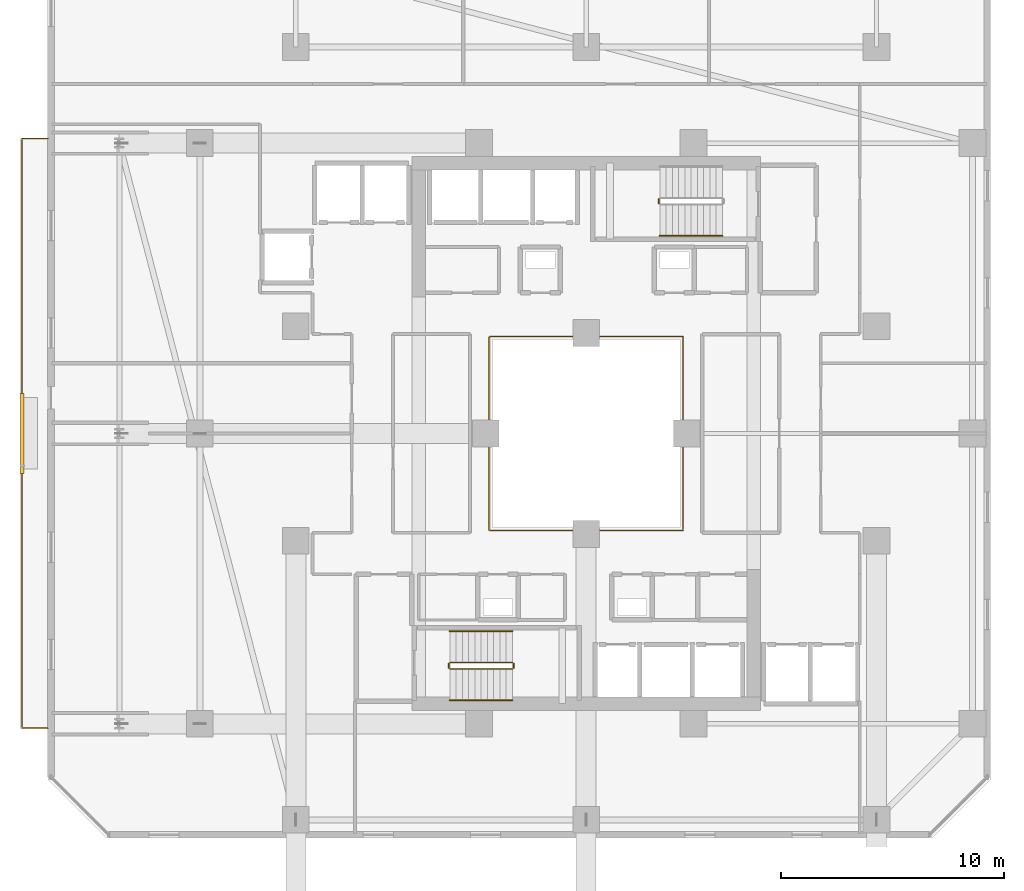
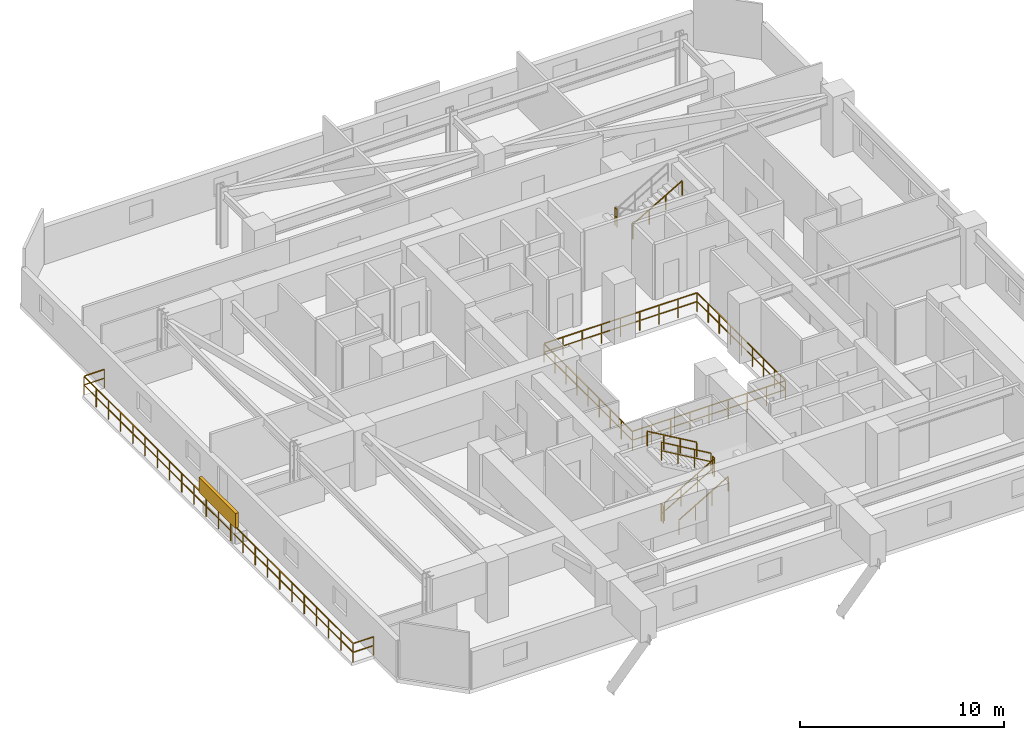
# One storey, part 33 of 36: 10 railings, 1 shading device.
"""IFC4 building model written with IfcOpenShell, lengths in metres."""

from ifc_helpers import new_model, si_unit, direction, frame, origin, origin_2d, place, context, subcontext, project, spatial, rectangle, extrude, material, type_object, element, save


model = new_model("IFC4")

# Units and contexts
model_context = context("Model", 3, precision=1e-05, world=origin(), true_north=direction((0.0, 1.0)))
body_context = subcontext(model_context, "Body", "Model", "MODEL_VIEW")
ifc_project = project(units=[si_unit("LENGTHUNIT", "METRE"), si_unit("AREAUNIT", "SQUARE_METRE"), si_unit("VOLUMEUNIT", "CUBIC_METRE"), si_unit("PLANEANGLEUNIT", "RADIAN"), si_unit("MASSUNIT", "GRAM", prefix="KILO")], contexts=[model_context])

# Site, building, storey
site_placement = place(None, origin())
site = spatial("IfcSite", under=ifc_project, at=site_placement, CompositionType="ELEMENT")
building_placement = place(site_placement, origin())
building = spatial("IfcBuilding", under=site, at=building_placement, Name="Thornwick Lancets Civic Towers", CompositionType="ELEMENT")
storey_placement = place(building_placement, frame((0.0, 0.0, 116.10009765625)))
storey = spatial("IfcBuildingStorey", under=building, at=storey_placement, Name="L30", CompositionType="ELEMENT", Elevation=116.10009765625)

# Railings
ifc_material_1 = material(Name="Laminated glass and bronze steel S355", Category="steel")
railing_type_1 = type_object("IfcRailingType", Name="RAIL_ATRIUM_GUARD", PredefinedType="BALUSTRADE", material=ifc_material_1)
railing_1_placement = place(storey_placement, frame((21.159912109375, 22.659912109375, 0.0)))
element("IfcRailing", 1, at=railing_1_placement, inside=storey, type_object=railing_type_1, Name="L30 Tower A Central Atrium Guard Balustrade", PredefinedType="BALUSTRADE", context=body_context, shape_type="SweptSolid", body=[
    extrude(rectangle(XDim=0.048095703125, YDim=0.048095703125, at=origin_2d()), frame((0.0, 0.0, 1.1259765625), z_axis=(1.0, 0.0, 0.0), x_axis=(0.0, 1.0, 0.0)), (0.0, 0.0, 1.0), 8.64892578125),
    extrude(rectangle(XDim=0.0419921875, YDim=0.0419921875, at=origin_2d()), frame((0.03759765625, 0.0, 0.597900390625), z_axis=(1.0, 0.0, 0.0), x_axis=(0.0, 1.0, 0.0)), (0.0, 0.0, 1.0), 1.010009765625),
    extrude(rectangle(XDim=0.0419921875, YDim=0.0419921875, at=origin_2d()), frame((1.12255859375, 0.0, 0.597900390625), z_axis=(1.0, 0.0, 0.0), x_axis=(0.0, 1.0, 0.0)), (0.0, 0.0, 1.0), 1.010009765625),
    extrude(rectangle(XDim=0.0419921875, YDim=0.0419921875, at=origin_2d()), frame((2.20751953125, 0.0, 0.597900390625), z_axis=(1.0, 0.0, 0.0), x_axis=(0.0, 1.0, 0.0)), (0.0, 0.0, 1.0), 1.010009765625),
    extrude(rectangle(XDim=0.0419921875, YDim=0.0419921875, at=origin_2d()), frame((3.29248046875, 0.0, 0.597900390625), z_axis=(1.0, 0.0, 0.0), x_axis=(0.0, 1.0, 0.0)), (0.0, 0.0, 1.0), 1.010009765625),
    extrude(rectangle(XDim=0.0419921875, YDim=0.0419921875, at=origin_2d()), frame((4.377685546875, 0.0, 0.597900390625), z_axis=(1.0, 0.0, 0.0), x_axis=(0.0, 1.0, 0.0)), (0.0, 0.0, 1.0), 1.010009765625),
    extrude(rectangle(XDim=0.0419921875, YDim=0.0419921875, at=origin_2d()), frame((5.462646484375, 0.0, 0.597900390625), z_axis=(1.0, 0.0, 0.0), x_axis=(0.0, 1.0, 0.0)), (0.0, 0.0, 1.0), 1.010009765625),
    extrude(rectangle(XDim=0.0419921875, YDim=0.0419921875, at=origin_2d()), frame((6.547607421875, 0.0, 0.597900390625), z_axis=(1.0, 0.0, 0.0), x_axis=(0.0, 1.0, 0.0)), (0.0, 0.0, 1.0), 1.010009765625),
    extrude(rectangle(XDim=0.0419921875, YDim=0.0419921875, at=origin_2d()), frame((7.632568359375, 0.0, 0.597900390625), z_axis=(1.0, 0.0, 0.0), x_axis=(0.0, 1.0, 0.0)), (0.0, 0.0, 1.0), 1.010009765625),
    extrude(rectangle(XDim=0.048095703125, YDim=0.048095703125, at=origin_2d()), frame((8.68017578125, 0.03125, 1.1259765625), z_axis=(0.0, 1.0, 0.0), x_axis=(-1.0, 0.0, 0.0)), (0.0, 0.0, 1.0), 8.61767578125),
    extrude(rectangle(XDim=0.0419921875, YDim=0.0419921875, at=origin_2d()), frame((8.68017578125, 0.03759765625, 0.597900390625), z_axis=(0.0, 1.0, 0.0), x_axis=(-1.0, 0.0, 0.0)), (0.0, 0.0, 1.0), 1.010009765625),
    extrude(rectangle(XDim=0.0419921875, YDim=0.0419921875, at=origin_2d()), frame((8.68017578125, 1.12255859375, 0.597900390625), z_axis=(0.0, 1.0, 0.0), x_axis=(-1.0, 0.0, 0.0)), (0.0, 0.0, 1.0), 1.010009765625),
    extrude(rectangle(XDim=0.0419921875, YDim=0.0419921875, at=origin_2d()), frame((8.68017578125, 2.20751953125, 0.597900390625), z_axis=(0.0, 1.0, 0.0), x_axis=(-1.0, 0.0, 0.0)), (0.0, 0.0, 1.0), 1.010009765625),
    extrude(rectangle(XDim=0.0419921875, YDim=0.0419921875, at=origin_2d()), frame((8.68017578125, 3.29248046875, 0.597900390625), z_axis=(0.0, 1.0, 0.0), x_axis=(-1.0, 0.0, 0.0)), (0.0, 0.0, 1.0), 1.010009765625),
    extrude(rectangle(XDim=0.0419921875, YDim=0.0419921875, at=origin_2d()), frame((8.68017578125, 4.377685546875, 0.597900390625), z_axis=(0.0, 1.0, 0.0), x_axis=(-1.0, 0.0, 0.0)), (0.0, 0.0, 1.0), 1.010009765625),
    extrude(rectangle(XDim=0.0419921875, YDim=0.0419921875, at=origin_2d()), frame((8.68017578125, 5.462646484375, 0.597900390625), z_axis=(0.0, 1.0, 0.0), x_axis=(-1.0, 0.0, 0.0)), (0.0, 0.0, 1.0), 1.010009765625),
    extrude(rectangle(XDim=0.0419921875, YDim=0.0419921875, at=origin_2d()), frame((8.68017578125, 6.547607421875, 0.597900390625), z_axis=(0.0, 1.0, 0.0), x_axis=(-1.0, 0.0, 0.0)), (0.0, 0.0, 1.0), 1.010009765625),
    extrude(rectangle(XDim=0.0419921875, YDim=0.0419921875, at=origin_2d()), frame((8.68017578125, 7.632568359375, 0.597900390625), z_axis=(0.0, 1.0, 0.0), x_axis=(-1.0, 0.0, 0.0)), (0.0, 0.0, 1.0), 1.010009765625),
    extrude(rectangle(XDim=0.048095703125, YDim=0.048095703125, at=origin_2d()), frame((8.64892578125, 8.68017578125, 1.1259765625), z_axis=(-1.0, 0.0, 0.0), x_axis=(0.0, -1.0, 0.0)), (0.0, 0.0, 1.0), 8.61767578125),
    extrude(rectangle(XDim=0.0419921875, YDim=0.0419921875, at=origin_2d()), frame((8.642578125, 8.68017578125, 0.597900390625), z_axis=(-1.0, 0.0, 0.0), x_axis=(0.0, -1.0, 0.0)), (0.0, 0.0, 1.0), 1.010009765625),
    extrude(rectangle(XDim=0.0419921875, YDim=0.0419921875, at=origin_2d()), frame((7.5576171875, 8.68017578125, 0.597900390625), z_axis=(-1.0, 0.0, 0.0), x_axis=(0.0, -1.0, 0.0)), (0.0, 0.0, 1.0), 1.010009765625),
    extrude(rectangle(XDim=0.0419921875, YDim=0.0419921875, at=origin_2d()), frame((6.47265625, 8.68017578125, 0.597900390625), z_axis=(-1.0, 0.0, 0.0), x_axis=(0.0, -1.0, 0.0)), (0.0, 0.0, 1.0), 1.010009765625),
    extrude(rectangle(XDim=0.0419921875, YDim=0.0419921875, at=origin_2d()), frame((5.3876953125, 8.68017578125, 0.597900390625), z_axis=(-1.0, 0.0, 0.0), x_axis=(0.0, -1.0, 0.0)), (0.0, 0.0, 1.0), 1.010009765625),
    extrude(rectangle(XDim=0.0419921875, YDim=0.0419921875, at=origin_2d()), frame((4.302490234375, 8.68017578125, 0.597900390625), z_axis=(-1.0, 0.0, 0.0), x_axis=(0.0, -1.0, 0.0)), (0.0, 0.0, 1.0), 1.010009765625),
    extrude(rectangle(XDim=0.0419921875, YDim=0.0419921875, at=origin_2d()), frame((3.217529296875, 8.68017578125, 0.597900390625), z_axis=(-1.0, 0.0, 0.0), x_axis=(0.0, -1.0, 0.0)), (0.0, 0.0, 1.0), 1.010009765625),
    extrude(rectangle(XDim=0.0419921875, YDim=0.0419921875, at=origin_2d()), frame((2.132568359375, 8.68017578125, 0.597900390625), z_axis=(-1.0, 0.0, 0.0), x_axis=(0.0, -1.0, 0.0)), (0.0, 0.0, 1.0), 1.010009765625),
    extrude(rectangle(XDim=0.0419921875, YDim=0.0419921875, at=origin_2d()), frame((1.047607421875, 8.68017578125, 0.597900390625), z_axis=(-1.0, 0.0, 0.0), x_axis=(0.0, -1.0, 0.0)), (0.0, 0.0, 1.0), 1.010009765625),
    extrude(rectangle(XDim=0.048095703125, YDim=0.048095703125, at=origin_2d()), frame((0.0, 8.64892578125, 1.1259765625), z_axis=(0.0, -1.0, 0.0), x_axis=(1.0, 0.0, 0.0)), (0.0, 0.0, 1.0), 8.64892578125),
    extrude(rectangle(XDim=0.0419921875, YDim=0.0419921875, at=origin_2d()), frame((0.0, 8.642578125, 0.597900390625), z_axis=(0.0, -1.0, 0.0), x_axis=(1.0, 0.0, 0.0)), (0.0, 0.0, 1.0), 1.010009765625),
    extrude(rectangle(XDim=0.0419921875, YDim=0.0419921875, at=origin_2d()), frame((0.0, 7.5576171875, 0.597900390625), z_axis=(0.0, -1.0, 0.0), x_axis=(1.0, 0.0, 0.0)), (0.0, 0.0, 1.0), 1.010009765625),
    extrude(rectangle(XDim=0.0419921875, YDim=0.0419921875, at=origin_2d()), frame((0.0, 6.47265625, 0.597900390625), z_axis=(0.0, -1.0, 0.0), x_axis=(1.0, 0.0, 0.0)), (0.0, 0.0, 1.0), 1.010009765625),
    extrude(rectangle(XDim=0.0419921875, YDim=0.0419921875, at=origin_2d()), frame((0.0, 5.3876953125, 0.597900390625), z_axis=(0.0, -1.0, 0.0), x_axis=(1.0, 0.0, 0.0)), (0.0, 0.0, 1.0), 1.010009765625),
    extrude(rectangle(XDim=0.0419921875, YDim=0.0419921875, at=origin_2d()), frame((0.0, 4.302490234375, 0.597900390625), z_axis=(0.0, -1.0, 0.0), x_axis=(1.0, 0.0, 0.0)), (0.0, 0.0, 1.0), 1.010009765625),
    extrude(rectangle(XDim=0.0419921875, YDim=0.0419921875, at=origin_2d()), frame((0.0, 3.217529296875, 0.597900390625), z_axis=(0.0, -1.0, 0.0), x_axis=(1.0, 0.0, 0.0)), (0.0, 0.0, 1.0), 1.010009765625),
    extrude(rectangle(XDim=0.0419921875, YDim=0.0419921875, at=origin_2d()), frame((0.0, 2.132568359375, 0.597900390625), z_axis=(0.0, -1.0, 0.0), x_axis=(1.0, 0.0, 0.0)), (0.0, 0.0, 1.0), 1.010009765625),
    extrude(rectangle(XDim=0.0419921875, YDim=0.0419921875, at=origin_2d()), frame((0.0, 1.047607421875, 0.597900390625), z_axis=(0.0, -1.0, 0.0), x_axis=(1.0, 0.0, 0.0)), (0.0, 0.0, 1.0), 1.010009765625),
    extrude(rectangle(XDim=0.0419921875, YDim=0.0419921875, at=origin_2d()), origin(), (0.0, 0.0, 1.0), 1.095703125),
    extrude(rectangle(XDim=0.0419921875, YDim=0.0419921875, at=origin_2d()), frame((1.0849609375, 0.0, 0.0)), (0.0, 0.0, 1.0), 1.095703125),
    extrude(rectangle(XDim=0.0419921875, YDim=0.0419921875, at=origin_2d()), frame((2.169921875, 0.0, 0.0)), (0.0, 0.0, 1.0), 1.095703125),
    extrude(rectangle(XDim=0.0419921875, YDim=0.0419921875, at=origin_2d()), frame((3.255126953125, 0.0, 0.0)), (0.0, 0.0, 1.0), 1.095703125),
    extrude(rectangle(XDim=0.0419921875, YDim=0.0419921875, at=origin_2d()), frame((4.340087890625, 0.0, 0.0)), (0.0, 0.0, 1.0), 1.095703125),
    extrude(rectangle(XDim=0.0419921875, YDim=0.0419921875, at=origin_2d()), frame((5.425048828125, 0.0, 0.0)), (0.0, 0.0, 1.0), 1.095703125),
    extrude(rectangle(XDim=0.0419921875, YDim=0.0419921875, at=origin_2d()), frame((6.51025390625, 0.0, 0.0)), (0.0, 0.0, 1.0), 1.095703125),
    extrude(rectangle(XDim=0.0419921875, YDim=0.0419921875, at=origin_2d()), frame((7.59521484375, 0.0, 0.0)), (0.0, 0.0, 1.0), 1.095703125),
    extrude(rectangle(XDim=0.0419921875, YDim=0.0419921875, at=origin_2d()), frame((8.68017578125, 0.0, 0.0)), (0.0, 0.0, 1.0), 1.095703125),
    extrude(rectangle(XDim=0.0419921875, YDim=0.0419921875, at=origin_2d()), frame((8.68017578125, 1.0849609375, 0.0)), (0.0, 0.0, 1.0), 1.095703125),
    extrude(rectangle(XDim=0.0419921875, YDim=0.0419921875, at=origin_2d()), frame((8.68017578125, 2.169921875, 0.0)), (0.0, 0.0, 1.0), 1.095703125),
    extrude(rectangle(XDim=0.0419921875, YDim=0.0419921875, at=origin_2d()), frame((8.68017578125, 3.255126953125, 0.0)), (0.0, 0.0, 1.0), 1.095703125),
    extrude(rectangle(XDim=0.0419921875, YDim=0.0419921875, at=origin_2d()), frame((8.68017578125, 4.340087890625, 0.0)), (0.0, 0.0, 1.0), 1.095703125),
    extrude(rectangle(XDim=0.0419921875, YDim=0.0419921875, at=origin_2d()), frame((8.68017578125, 5.425048828125, 0.0)), (0.0, 0.0, 1.0), 1.095703125),
    extrude(rectangle(XDim=0.0419921875, YDim=0.0419921875, at=origin_2d()), frame((8.68017578125, 6.51025390625, 0.0)), (0.0, 0.0, 1.0), 1.095703125),
    extrude(rectangle(XDim=0.0419921875, YDim=0.0419921875, at=origin_2d()), frame((8.68017578125, 7.59521484375, 0.0)), (0.0, 0.0, 1.0), 1.095703125),
    extrude(rectangle(XDim=0.0419921875, YDim=0.0419921875, at=origin_2d()), frame((8.68017578125, 8.68017578125, 0.0)), (0.0, 0.0, 1.0), 1.095703125),
    extrude(rectangle(XDim=0.0419921875, YDim=0.0419921875, at=origin_2d()), frame((7.59521484375, 8.68017578125, 0.0)), (0.0, 0.0, 1.0), 1.095703125),
    extrude(rectangle(XDim=0.0419921875, YDim=0.0419921875, at=origin_2d()), frame((6.51025390625, 8.68017578125, 0.0)), (0.0, 0.0, 1.0), 1.095703125),
    extrude(rectangle(XDim=0.0419921875, YDim=0.0419921875, at=origin_2d()), frame((5.425048828125, 8.68017578125, 0.0)), (0.0, 0.0, 1.0), 1.095703125),
    extrude(rectangle(XDim=0.0419921875, YDim=0.0419921875, at=origin_2d()), frame((4.340087890625, 8.68017578125, 0.0)), (0.0, 0.0, 1.0), 1.095703125),
    extrude(rectangle(XDim=0.0419921875, YDim=0.0419921875, at=origin_2d()), frame((3.255126953125, 8.68017578125, 0.0)), (0.0, 0.0, 1.0), 1.095703125),
    extrude(rectangle(XDim=0.0419921875, YDim=0.0419921875, at=origin_2d()), frame((2.169921875, 8.68017578125, 0.0)), (0.0, 0.0, 1.0), 1.095703125),
    extrude(rectangle(XDim=0.0419921875, YDim=0.0419921875, at=origin_2d()), frame((1.0849609375, 8.68017578125, 0.0)), (0.0, 0.0, 1.0), 1.095703125),
    extrude(rectangle(XDim=0.0419921875, YDim=0.0419921875, at=origin_2d()), frame((0.0, 8.68017578125, 0.0)), (0.0, 0.0, 1.0), 1.095703125),
    extrude(rectangle(XDim=0.0419921875, YDim=0.0419921875, at=origin_2d()), frame((0.0, 7.59521484375, 0.0)), (0.0, 0.0, 1.0), 1.095703125),
    extrude(rectangle(XDim=0.0419921875, YDim=0.0419921875, at=origin_2d()), frame((0.0, 6.51025390625, 0.0)), (0.0, 0.0, 1.0), 1.095703125),
    extrude(rectangle(XDim=0.0419921875, YDim=0.0419921875, at=origin_2d()), frame((0.0, 5.425048828125, 0.0)), (0.0, 0.0, 1.0), 1.095703125),
    extrude(rectangle(XDim=0.0419921875, YDim=0.0419921875, at=origin_2d()), frame((0.0, 4.340087890625, 0.0)), (0.0, 0.0, 1.0), 1.095703125),
    extrude(rectangle(XDim=0.0419921875, YDim=0.0419921875, at=origin_2d()), frame((0.0, 3.255126953125, 0.0)), (0.0, 0.0, 1.0), 1.095703125),
    extrude(rectangle(XDim=0.0419921875, YDim=0.0419921875, at=origin_2d()), frame((0.0, 2.169921875, 0.0)), (0.0, 0.0, 1.0), 1.095703125),
    extrude(rectangle(XDim=0.0419921875, YDim=0.0419921875, at=origin_2d()), frame((0.0, 1.0849609375, 0.0)), (0.0, 0.0, 1.0), 1.095703125),
])
ifc_material_2 = material(Name="Brushed stainless steel S355", Category="steel")
railing_type_2 = type_object("IfcRailingType", Name="RAIL_HANDRAIL", PredefinedType="HANDRAIL", material=ifc_material_2)
railing_2_placement = place(storey_placement, frame((19.39990234375, 15.050048828125, 0.16357421875)))
element("IfcRailing", 2, at=railing_2_placement, inside=storey, type_object=railing_type_2, Name="L30 ST-A1 stair handrail 1", PredefinedType="HANDRAIL", context=body_context, shape_type="SweptSolid", body=[
    extrude(rectangle(XDim=0.048095703125, YDim=0.048095703125, at=origin_2d()), frame((0.0, 0.0, 0.8857421875), z_axis=(0.863393664356, 0.0, 0.504530851732), x_axis=(0.0, 1.0, 0.0)), (0.0, 0.0, 1.0), 3.2431640625),
    extrude(rectangle(XDim=0.0419921875, YDim=0.0419921875, at=origin_2d()), origin(), (0.0, 0.0, 1.0), 0.855712890625),
    extrude(rectangle(XDim=0.0419921875, YDim=0.0419921875, at=origin_2d()), frame((0.933349609375, 0.0, 0.54541015625)), (0.0, 0.0, 1.0), 0.855712890625),
    extrude(rectangle(XDim=0.0419921875, YDim=0.0419921875, at=origin_2d()), frame((1.86669921875, 0.0, 1.0908203125)), (0.0, 0.0, 1.0), 0.855712890625),
    extrude(rectangle(XDim=0.0419921875, YDim=0.0419921875, at=origin_2d()), frame((2.800048828125, 0.0, 1.63623046875)), (0.0, 0.0, 1.0), 0.855712890625),
])
railing_3_placement = place(storey_placement, frame((22.199951171875, 18.14990234375, 1.963623046875)))
element("IfcRailing", 3, at=railing_3_placement, inside=storey, type_object=railing_type_2, Name="L30 ST-A1 stair handrail 2", PredefinedType="HANDRAIL", context=body_context, shape_type="SweptSolid", body=[
    extrude(rectangle(XDim=0.048095703125, YDim=0.048095703125, at=origin_2d()), frame((0.0, 0.0, 0.8857421875), z_axis=(-0.863393664356, 0.0, 0.504530851732), x_axis=(0.0, -1.0, 0.0)), (0.0, 0.0, 1.0), 3.2431640625),
    extrude(rectangle(XDim=0.0419921875, YDim=0.0419921875, at=origin_2d()), origin(), (0.0, 0.0, 1.0), 0.855712890625),
    extrude(rectangle(XDim=0.0419921875, YDim=0.0419921875, at=origin_2d()), frame((-0.933349609375, 0.0, 0.54541015625)), (0.0, 0.0, 1.0), 0.855712890625),
    extrude(rectangle(XDim=0.0419921875, YDim=0.0419921875, at=origin_2d()), frame((-1.86669921875, 0.0, 1.0908203125)), (0.0, 0.0, 1.0), 0.855712890625),
    extrude(rectangle(XDim=0.0419921875, YDim=0.0419921875, at=origin_2d()), frame((-2.800048828125, 0.0, 1.63623046875)), (0.0, 0.0, 1.0), 0.855712890625),
])
railing_4_placement = place(storey_placement, frame((28.800048828125, 35.85009765625, 1.963623046875)))
element("IfcRailing", 4, at=railing_4_placement, inside=storey, type_object=railing_type_2, Name="L30 ST-A2 stair handrail 2", PredefinedType="HANDRAIL", context=body_context, shape_type="SweptSolid", body=[
    extrude(rectangle(XDim=0.048095703125, YDim=0.048095703125, at=origin_2d()), frame((0.0, 0.0, 0.8857421875), z_axis=(0.863393664356, 0.0, 0.504530851732), x_axis=(0.0, 1.0, 0.0)), (0.0, 0.0, 1.0), 3.2431640625),
    extrude(rectangle(XDim=0.0419921875, YDim=0.0419921875, at=origin_2d()), origin(), (0.0, 0.0, 1.0), 0.855712890625),
    extrude(rectangle(XDim=0.0419921875, YDim=0.0419921875, at=origin_2d()), frame((0.933349609375, 0.0, 0.54541015625)), (0.0, 0.0, 1.0), 0.855712890625),
    extrude(rectangle(XDim=0.0419921875, YDim=0.0419921875, at=origin_2d()), frame((1.86669921875, 0.0, 1.0908203125)), (0.0, 0.0, 1.0), 0.855712890625),
    extrude(rectangle(XDim=0.0419921875, YDim=0.0419921875, at=origin_2d()), frame((2.800048828125, 0.0, 1.63623046875)), (0.0, 0.0, 1.0), 0.855712890625),
])
ifc_material_3 = material(Name="Steel S355JR", Category="steel")
railing_type_3 = type_object("IfcRailingType", Name="RAIL_STAIR_GUARD", PredefinedType="GUARDRAIL", material=ifc_material_3)
railing_5_placement = place(storey_placement, frame((19.39990234375, 16.449951171875, 0.16357421875)))
element("IfcRailing", 5, at=railing_5_placement, inside=storey, type_object=railing_type_3, Name="L30 ST-A1 stair guard 1", PredefinedType="GUARDRAIL", context=body_context, shape_type="SweptSolid", body=[
    extrude(rectangle(XDim=0.048095703125, YDim=0.048095703125, at=origin_2d()), frame((0.0, 0.0, 1.076171875), z_axis=(0.863393664356, 0.0, 0.504530851732), x_axis=(0.0, 1.0, 0.0)), (0.0, 0.0, 1.0), 3.2431640625),
    extrude(rectangle(XDim=0.0419921875, YDim=0.0419921875, at=origin_2d()), frame((0.032470703125, 0.0, 0.591064453125), z_axis=(0.863393664356, 0.0, 0.504530851732), x_axis=(0.0, 1.0, 0.0)), (0.0, 0.0, 1.0), 1.006103515625),
    extrude(rectangle(XDim=0.0419921875, YDim=0.0419921875, at=origin_2d()), frame((0.9658203125, 0.0, 1.136474609375), z_axis=(0.863393664356, 0.0, 0.504530851732), x_axis=(0.0, 1.0, 0.0)), (0.0, 0.0, 1.0), 1.006103515625),
    extrude(rectangle(XDim=0.0419921875, YDim=0.0419921875, at=origin_2d()), frame((1.899169921875, 0.0, 1.681884765625), z_axis=(0.863393664356, 0.0, 0.504530851732), x_axis=(0.0, 1.0, 0.0)), (0.0, 0.0, 1.0), 1.006103515625),
    extrude(rectangle(XDim=0.0419921875, YDim=0.0419921875, at=origin_2d()), origin(), (0.0, 0.0, 1.0), 1.0458984375),
    extrude(rectangle(XDim=0.0419921875, YDim=0.0419921875, at=origin_2d()), frame((0.933349609375, 0.0, 0.54541015625)), (0.0, 0.0, 1.0), 1.0458984375),
    extrude(rectangle(XDim=0.0419921875, YDim=0.0419921875, at=origin_2d()), frame((1.86669921875, 0.0, 1.0908203125)), (0.0, 0.0, 1.0), 1.0458984375),
    extrude(rectangle(XDim=0.0419921875, YDim=0.0419921875, at=origin_2d()), frame((2.800048828125, 0.0, 1.63623046875)), (0.0, 0.0, 1.0), 1.0458984375),
])
railing_6_placement = place(storey_placement, frame((22.25, 16.5, 1.7998046875)))
element("IfcRailing", 6, at=railing_6_placement, inside=storey, type_object=railing_type_3, Name="L30 ST-A1 stair guard 2", PredefinedType="GUARDRAIL", context=body_context, shape_type="SweptSolid", body=[
    extrude(rectangle(XDim=0.048095703125, YDim=0.048095703125, at=origin_2d()), frame((0.0, 0.0, 1.076171875), z_axis=(0.0, 1.0, 0.0), x_axis=(-1.0, 0.0, 0.0)), (0.0, 0.0, 1.0), 0.199951171875),
    extrude(rectangle(XDim=0.0419921875, YDim=0.0419921875, at=origin_2d()), frame((0.0, 0.03759765625, 0.572021484375), z_axis=(0.0, 1.0, 0.0), x_axis=(-1.0, 0.0, 0.0)), (0.0, 0.0, 1.0), 0.125),
    extrude(rectangle(XDim=0.0419921875, YDim=0.0419921875, at=origin_2d()), origin(), (0.0, 0.0, 1.0), 1.0458984375),
    extrude(rectangle(XDim=0.0419921875, YDim=0.0419921875, at=origin_2d()), frame((0.0, 0.199951171875, 0.0)), (0.0, 0.0, 1.0), 1.0458984375),
])
railing_7_placement = place(storey_placement, frame((22.199951171875, 16.75, 1.963623046875)))
element("IfcRailing", 7, at=railing_7_placement, inside=storey, type_object=railing_type_3, Name="L30 ST-A1 stair guard 3", PredefinedType="GUARDRAIL", context=body_context, shape_type="SweptSolid", body=[
    extrude(rectangle(XDim=0.048095703125, YDim=0.048095703125, at=origin_2d()), frame((0.0, 0.0, 1.076171875), z_axis=(-0.863393664356, 0.0, 0.504530851732), x_axis=(0.0, -1.0, 0.0)), (0.0, 0.0, 1.0), 3.2431640625),
    extrude(rectangle(XDim=0.0419921875, YDim=0.0419921875, at=origin_2d()), frame((-0.032470703125, 0.0, 0.591064453125), z_axis=(-0.863393664356, 0.0, 0.504530851732), x_axis=(0.0, -1.0, 0.0)), (0.0, 0.0, 1.0), 1.006103515625),
    extrude(rectangle(XDim=0.0419921875, YDim=0.0419921875, at=origin_2d()), frame((-0.9658203125, 0.0, 1.136474609375), z_axis=(-0.863393664356, 0.0, 0.504530851732), x_axis=(0.0, -1.0, 0.0)), (0.0, 0.0, 1.0), 1.006103515625),
    extrude(rectangle(XDim=0.0419921875, YDim=0.0419921875, at=origin_2d()), frame((-1.899169921875, 0.0, 1.681884765625), z_axis=(-0.863393664356, 0.0, 0.504530851732), x_axis=(0.0, -1.0, 0.0)), (0.0, 0.0, 1.0), 1.006103515625),
    extrude(rectangle(XDim=0.0419921875, YDim=0.0419921875, at=origin_2d()), origin(), (0.0, 0.0, 1.0), 1.0458984375),
    extrude(rectangle(XDim=0.0419921875, YDim=0.0419921875, at=origin_2d()), frame((-0.933349609375, 0.0, 0.54541015625)), (0.0, 0.0, 1.0), 1.0458984375),
    extrude(rectangle(XDim=0.0419921875, YDim=0.0419921875, at=origin_2d()), frame((-1.86669921875, 0.0, 1.0908203125)), (0.0, 0.0, 1.0), 1.0458984375),
    extrude(rectangle(XDim=0.0419921875, YDim=0.0419921875, at=origin_2d()), frame((-2.800048828125, 0.0, 1.63623046875)), (0.0, 0.0, 1.0), 1.0458984375),
])
railing_8_placement = place(storey_placement, frame((19.35009765625, 16.5, 0.0)))
element("IfcRailing", 8, at=railing_8_placement, inside=storey, type_object=railing_type_3, Name="L30 ST-A1 stair guard 4", PredefinedType="GUARDRAIL", context=body_context, shape_type="SweptSolid", body=[
    extrude(rectangle(XDim=0.048095703125, YDim=0.048095703125, at=origin_2d()), frame((0.0, 0.0, 1.076171875), z_axis=(0.0, 1.0, 0.0), x_axis=(-1.0, 0.0, 0.0)), (0.0, 0.0, 1.0), 0.199951171875),
    extrude(rectangle(XDim=0.0419921875, YDim=0.0419921875, at=origin_2d()), frame((0.0, 0.03759765625, 0.572021484375), z_axis=(0.0, 1.0, 0.0), x_axis=(-1.0, 0.0, 0.0)), (0.0, 0.0, 1.0), 0.125),
    extrude(rectangle(XDim=0.0419921875, YDim=0.0419921875, at=origin_2d()), origin(), (0.0, 0.0, 1.0), 1.0458984375),
    extrude(rectangle(XDim=0.0419921875, YDim=0.0419921875, at=origin_2d()), frame((0.0, 0.199951171875, 0.0)), (0.0, 0.0, 1.0), 1.0458984375),
])
railing_9_placement = place(storey_placement, frame((28.75, 37.5, 1.7998046875)))
element("IfcRailing", 9, at=railing_9_placement, inside=storey, type_object=railing_type_3, Name="L30 ST-A2 stair guard 2", PredefinedType="GUARDRAIL", context=body_context, shape_type="SweptSolid", body=[
    extrude(rectangle(XDim=0.048095703125, YDim=0.048095703125, at=origin_2d()), frame((0.0, 0.0, 1.076171875), z_axis=(0.0, -1.0, 0.0), x_axis=(1.0, 0.0, 0.0)), (0.0, 0.0, 1.0), 0.199951171875),
    extrude(rectangle(XDim=0.0419921875, YDim=0.0419921875, at=origin_2d()), frame((0.0, -0.03759765625, 0.572021484375), z_axis=(0.0, -1.0, 0.0), x_axis=(1.0, 0.0, 0.0)), (0.0, 0.0, 1.0), 0.125),
    extrude(rectangle(XDim=0.0419921875, YDim=0.0419921875, at=origin_2d()), origin(), (0.0, 0.0, 1.0), 1.0458984375),
    extrude(rectangle(XDim=0.0419921875, YDim=0.0419921875, at=origin_2d()), frame((0.0, -0.199951171875, 0.0)), (0.0, 0.0, 1.0), 1.0458984375),
])
ifc_material_4 = material(Name="Terracotta-capped laminated glass balustrade S355", Category="masonry")
railing_type_4 = type_object("IfcRailingType", Name="RAIL_TERR_GUARD", PredefinedType="GUARDRAIL", material=ifc_material_4)
railing_10_placement = place(storey_placement, frame((1.39990234375, 13.800048828125, 0.0)))
element("IfcRailing", 10, at=railing_10_placement, inside=storey, type_object=railing_type_4, Name="L30 Tower A Balcony Guard W", PredefinedType="GUARDRAIL", context=body_context, shape_type="SweptSolid", body=[
    extrude(rectangle(XDim=0.048095703125, YDim=0.048095703125, at=origin_2d()), frame((0.0, 0.0, 1.1259765625), z_axis=(-1.0, 0.0, 0.0), x_axis=(0.0, -1.0, 0.0)), (0.0, 0.0, 1.0), 1.138671875),
    extrude(rectangle(XDim=0.0419921875, YDim=0.0419921875, at=origin_2d()), frame((-0.03759765625, 0.0, 0.597900390625), z_axis=(-1.0, 0.0, 0.0), x_axis=(0.0, -1.0, 0.0)), (0.0, 0.0, 1.0), 1.094970703125),
    extrude(rectangle(XDim=0.048095703125, YDim=0.048095703125, at=origin_2d()), frame((-1.169921875, 0.03125, 1.1259765625), z_axis=(0.0, 1.0, 0.0), x_axis=(-1.0, 0.0, 0.0)), (0.0, 0.0, 1.0), 26.33740234375),
    extrude(rectangle(XDim=0.0419921875, YDim=0.0419921875, at=origin_2d()), frame((-1.169921875, 0.03759765625, 0.597900390625), z_axis=(0.0, 1.0, 0.0), x_axis=(-1.0, 0.0, 0.0)), (0.0, 0.0, 1.0), 1.125),
    extrude(rectangle(XDim=0.0419921875, YDim=0.0419921875, at=origin_2d()), frame((-1.169921875, 1.237548828125, 0.597900390625), z_axis=(0.0, 1.0, 0.0), x_axis=(-1.0, 0.0, 0.0)), (0.0, 0.0, 1.0), 1.125),
    extrude(rectangle(XDim=0.0419921875, YDim=0.0419921875, at=origin_2d()), frame((-1.169921875, 2.4375, 0.597900390625), z_axis=(0.0, 1.0, 0.0), x_axis=(-1.0, 0.0, 0.0)), (0.0, 0.0, 1.0), 1.125),
    extrude(rectangle(XDim=0.0419921875, YDim=0.0419921875, at=origin_2d()), frame((-1.169921875, 3.637451171875, 0.597900390625), z_axis=(0.0, 1.0, 0.0), x_axis=(-1.0, 0.0, 0.0)), (0.0, 0.0, 1.0), 1.125),
    extrude(rectangle(XDim=0.0419921875, YDim=0.0419921875, at=origin_2d()), frame((-1.169921875, 4.83740234375, 0.597900390625), z_axis=(0.0, 1.0, 0.0), x_axis=(-1.0, 0.0, 0.0)), (0.0, 0.0, 1.0), 1.125),
    extrude(rectangle(XDim=0.0419921875, YDim=0.0419921875, at=origin_2d()), frame((-1.169921875, 6.037353515625, 0.597900390625), z_axis=(0.0, 1.0, 0.0), x_axis=(-1.0, 0.0, 0.0)), (0.0, 0.0, 1.0), 1.125),
    extrude(rectangle(XDim=0.0419921875, YDim=0.0419921875, at=origin_2d()), frame((-1.169921875, 7.237548828125, 0.597900390625), z_axis=(0.0, 1.0, 0.0), x_axis=(-1.0, 0.0, 0.0)), (0.0, 0.0, 1.0), 1.125),
    extrude(rectangle(XDim=0.0419921875, YDim=0.0419921875, at=origin_2d()), frame((-1.169921875, 8.4375, 0.597900390625), z_axis=(0.0, 1.0, 0.0), x_axis=(-1.0, 0.0, 0.0)), (0.0, 0.0, 1.0), 1.125),
    extrude(rectangle(XDim=0.0419921875, YDim=0.0419921875, at=origin_2d()), frame((-1.169921875, 9.637451171875, 0.597900390625), z_axis=(0.0, 1.0, 0.0), x_axis=(-1.0, 0.0, 0.0)), (0.0, 0.0, 1.0), 1.125),
    extrude(rectangle(XDim=0.0419921875, YDim=0.0419921875, at=origin_2d()), frame((-1.169921875, 10.83740234375, 0.597900390625), z_axis=(0.0, 1.0, 0.0), x_axis=(-1.0, 0.0, 0.0)), (0.0, 0.0, 1.0), 1.125),
    extrude(rectangle(XDim=0.0419921875, YDim=0.0419921875, at=origin_2d()), frame((-1.169921875, 12.037353515625, 0.597900390625), z_axis=(0.0, 1.0, 0.0), x_axis=(-1.0, 0.0, 0.0)), (0.0, 0.0, 1.0), 1.125),
    extrude(rectangle(XDim=0.0419921875, YDim=0.0419921875, at=origin_2d()), frame((-1.169921875, 13.237548828125, 0.597900390625), z_axis=(0.0, 1.0, 0.0), x_axis=(-1.0, 0.0, 0.0)), (0.0, 0.0, 1.0), 1.125),
    extrude(rectangle(XDim=0.0419921875, YDim=0.0419921875, at=origin_2d()), frame((-1.169921875, 14.4375, 0.597900390625), z_axis=(0.0, 1.0, 0.0), x_axis=(-1.0, 0.0, 0.0)), (0.0, 0.0, 1.0), 1.125),
    extrude(rectangle(XDim=0.0419921875, YDim=0.0419921875, at=origin_2d()), frame((-1.169921875, 15.637451171875, 0.597900390625), z_axis=(0.0, 1.0, 0.0), x_axis=(-1.0, 0.0, 0.0)), (0.0, 0.0, 1.0), 1.125),
    extrude(rectangle(XDim=0.0419921875, YDim=0.0419921875, at=origin_2d()), frame((-1.169921875, 16.83740234375, 0.597900390625), z_axis=(0.0, 1.0, 0.0), x_axis=(-1.0, 0.0, 0.0)), (0.0, 0.0, 1.0), 1.125),
    extrude(rectangle(XDim=0.0419921875, YDim=0.0419921875, at=origin_2d()), frame((-1.169921875, 18.037353515625, 0.597900390625), z_axis=(0.0, 1.0, 0.0), x_axis=(-1.0, 0.0, 0.0)), (0.0, 0.0, 1.0), 1.125),
    extrude(rectangle(XDim=0.0419921875, YDim=0.0419921875, at=origin_2d()), frame((-1.169921875, 19.2373046875, 0.597900390625), z_axis=(0.0, 1.0, 0.0), x_axis=(-1.0, 0.0, 0.0)), (0.0, 0.0, 1.0), 1.125),
    extrude(rectangle(XDim=0.0419921875, YDim=0.0419921875, at=origin_2d()), frame((-1.169921875, 20.4375, 0.597900390625), z_axis=(0.0, 1.0, 0.0), x_axis=(-1.0, 0.0, 0.0)), (0.0, 0.0, 1.0), 1.125),
    extrude(rectangle(XDim=0.0419921875, YDim=0.0419921875, at=origin_2d()), frame((-1.169921875, 21.637451171875, 0.597900390625), z_axis=(0.0, 1.0, 0.0), x_axis=(-1.0, 0.0, 0.0)), (0.0, 0.0, 1.0), 1.125),
    extrude(rectangle(XDim=0.0419921875, YDim=0.0419921875, at=origin_2d()), frame((-1.169921875, 22.83740234375, 0.597900390625), z_axis=(0.0, 1.0, 0.0), x_axis=(-1.0, 0.0, 0.0)), (0.0, 0.0, 1.0), 1.125),
    extrude(rectangle(XDim=0.0419921875, YDim=0.0419921875, at=origin_2d()), frame((-1.169921875, 24.037353515625, 0.597900390625), z_axis=(0.0, 1.0, 0.0), x_axis=(-1.0, 0.0, 0.0)), (0.0, 0.0, 1.0), 1.125),
    extrude(rectangle(XDim=0.0419921875, YDim=0.0419921875, at=origin_2d()), frame((-1.169921875, 25.2373046875, 0.597900390625), z_axis=(0.0, 1.0, 0.0), x_axis=(-1.0, 0.0, 0.0)), (0.0, 0.0, 1.0), 1.125),
    extrude(rectangle(XDim=0.048095703125, YDim=0.048095703125, at=origin_2d()), frame((-1.138671875, 26.39990234375, 1.1259765625), z_axis=(1.0, 0.0, 0.0), x_axis=(0.0, 1.0, 0.0)), (0.0, 0.0, 1.0), 1.138671875),
    extrude(rectangle(XDim=0.0419921875, YDim=0.0419921875, at=origin_2d()), frame((-1.13232421875, 26.39990234375, 0.597900390625), z_axis=(1.0, 0.0, 0.0), x_axis=(0.0, 1.0, 0.0)), (0.0, 0.0, 1.0), 1.094970703125),
    extrude(rectangle(XDim=0.0419921875, YDim=0.0419921875, at=origin_2d()), origin(), (0.0, 0.0, 1.0), 1.095703125),
    extrude(rectangle(XDim=0.0419921875, YDim=0.0419921875, at=origin_2d()), frame((-1.169921875, 0.0, 0.0)), (0.0, 0.0, 1.0), 1.095703125),
    extrude(rectangle(XDim=0.0419921875, YDim=0.0419921875, at=origin_2d()), frame((-1.169921875, 1.199951171875, 0.0)), (0.0, 0.0, 1.0), 1.095703125),
    extrude(rectangle(XDim=0.0419921875, YDim=0.0419921875, at=origin_2d()), frame((-1.169921875, 2.39990234375, 0.0)), (0.0, 0.0, 1.0), 1.095703125),
    extrude(rectangle(XDim=0.0419921875, YDim=0.0419921875, at=origin_2d()), frame((-1.169921875, 3.60009765625, 0.0)), (0.0, 0.0, 1.0), 1.095703125),
    extrude(rectangle(XDim=0.0419921875, YDim=0.0419921875, at=origin_2d()), frame((-1.169921875, 4.800048828125, 0.0)), (0.0, 0.0, 1.0), 1.095703125),
    extrude(rectangle(XDim=0.0419921875, YDim=0.0419921875, at=origin_2d()), frame((-1.169921875, 6.0, 0.0)), (0.0, 0.0, 1.0), 1.095703125),
    extrude(rectangle(XDim=0.0419921875, YDim=0.0419921875, at=origin_2d()), frame((-1.169921875, 7.199951171875, 0.0)), (0.0, 0.0, 1.0), 1.095703125),
    extrude(rectangle(XDim=0.0419921875, YDim=0.0419921875, at=origin_2d()), frame((-1.169921875, 8.39990234375, 0.0)), (0.0, 0.0, 1.0), 1.095703125),
    extrude(rectangle(XDim=0.0419921875, YDim=0.0419921875, at=origin_2d()), frame((-1.169921875, 9.599853515625, 0.0)), (0.0, 0.0, 1.0), 1.095703125),
    extrude(rectangle(XDim=0.0419921875, YDim=0.0419921875, at=origin_2d()), frame((-1.169921875, 10.800048828125, 0.0)), (0.0, 0.0, 1.0), 1.095703125),
    extrude(rectangle(XDim=0.0419921875, YDim=0.0419921875, at=origin_2d()), frame((-1.169921875, 12.0, 0.0)), (0.0, 0.0, 1.0), 1.095703125),
    extrude(rectangle(XDim=0.0419921875, YDim=0.0419921875, at=origin_2d()), frame((-1.169921875, 13.199951171875, 0.0)), (0.0, 0.0, 1.0), 1.095703125),
    extrude(rectangle(XDim=0.0419921875, YDim=0.0419921875, at=origin_2d()), frame((-1.169921875, 14.39990234375, 0.0)), (0.0, 0.0, 1.0), 1.095703125),
    extrude(rectangle(XDim=0.0419921875, YDim=0.0419921875, at=origin_2d()), frame((-1.169921875, 15.599853515625, 0.0)), (0.0, 0.0, 1.0), 1.095703125),
    extrude(rectangle(XDim=0.0419921875, YDim=0.0419921875, at=origin_2d()), frame((-1.169921875, 16.800048828125, 0.0)), (0.0, 0.0, 1.0), 1.095703125),
    extrude(rectangle(XDim=0.0419921875, YDim=0.0419921875, at=origin_2d()), frame((-1.169921875, 18.0, 0.0)), (0.0, 0.0, 1.0), 1.095703125),
    extrude(rectangle(XDim=0.0419921875, YDim=0.0419921875, at=origin_2d()), frame((-1.169921875, 19.199951171875, 0.0)), (0.0, 0.0, 1.0), 1.095703125),
    extrude(rectangle(XDim=0.0419921875, YDim=0.0419921875, at=origin_2d()), frame((-1.169921875, 20.39990234375, 0.0)), (0.0, 0.0, 1.0), 1.095703125),
    extrude(rectangle(XDim=0.0419921875, YDim=0.0419921875, at=origin_2d()), frame((-1.169921875, 21.599853515625, 0.0)), (0.0, 0.0, 1.0), 1.095703125),
    extrude(rectangle(XDim=0.0419921875, YDim=0.0419921875, at=origin_2d()), frame((-1.169921875, 22.7998046875, 0.0)), (0.0, 0.0, 1.0), 1.095703125),
    extrude(rectangle(XDim=0.0419921875, YDim=0.0419921875, at=origin_2d()), frame((-1.169921875, 24.0, 0.0)), (0.0, 0.0, 1.0), 1.095703125),
    extrude(rectangle(XDim=0.0419921875, YDim=0.0419921875, at=origin_2d()), frame((-1.169921875, 25.199951171875, 0.0)), (0.0, 0.0, 1.0), 1.095703125),
    extrude(rectangle(XDim=0.0419921875, YDim=0.0419921875, at=origin_2d()), frame((-1.169921875, 26.39990234375, 0.0)), (0.0, 0.0, 1.0), 1.095703125),
    extrude(rectangle(XDim=0.0419921875, YDim=0.0419921875, at=origin_2d()), frame((0.0, 26.39990234375, 0.0)), (0.0, 0.0, 1.0), 1.095703125),
])

# Shading device
ifc_material_5 = material(Name="Extruded terracotta baguette solar screen", Category="masonry")
shading_device_type = type_object("IfcShadingDeviceType", Name="SHADE_BAGUETTE", PredefinedType="JALOUSIE", material=ifc_material_5)
shading_device_placement = place(storey_placement, frame((0.239990234375, 27.0, 1.119873046875), z_axis=(0.0, 0.0, 1.0), x_axis=(0.0, 1.0, 0.0)))
element("IfcShadingDevice", 11, at=shading_device_placement, inside=storey, type_object=shading_device_type, Name="L30 Tower A Terracotta Baguette Screen W", PredefinedType="JALOUSIE", context=body_context, shape_type="SweptSolid", body=[
    extrude(rectangle(XDim=3.60009765625, YDim=0.179931640625, at=origin_2d()), origin(), (0.0, 0.0, 1.0), 0.89990234375),
])

save(model, "model.ifc")
